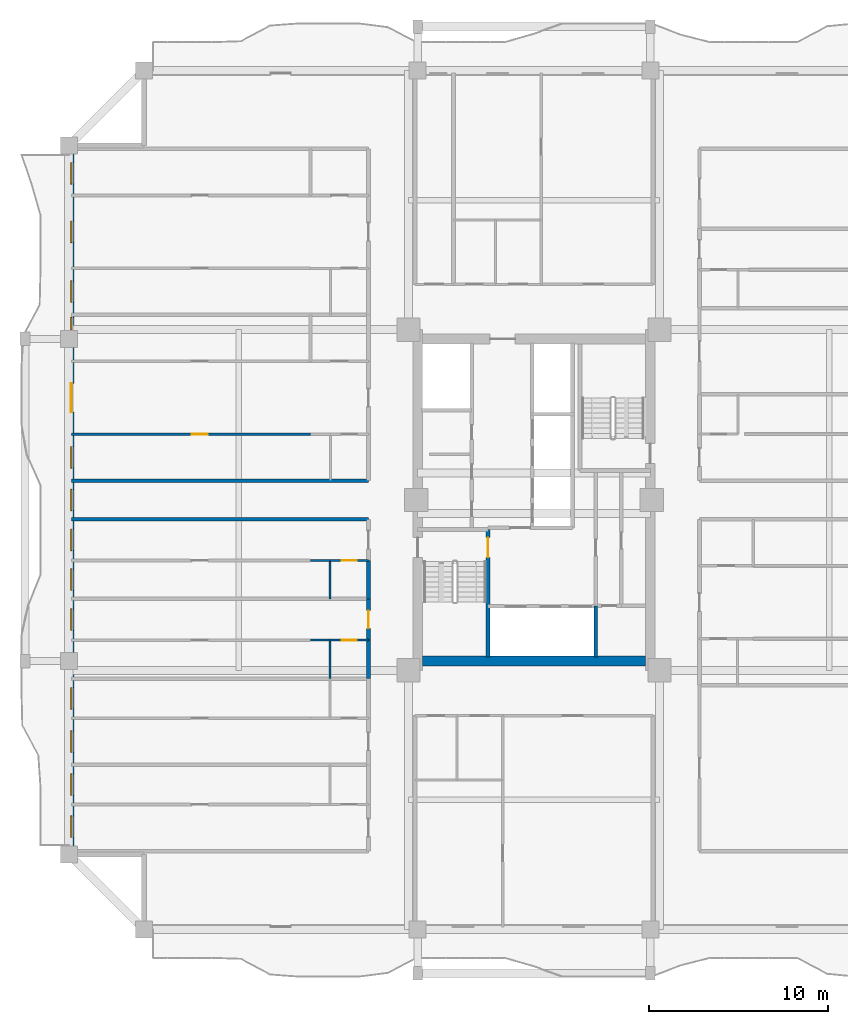
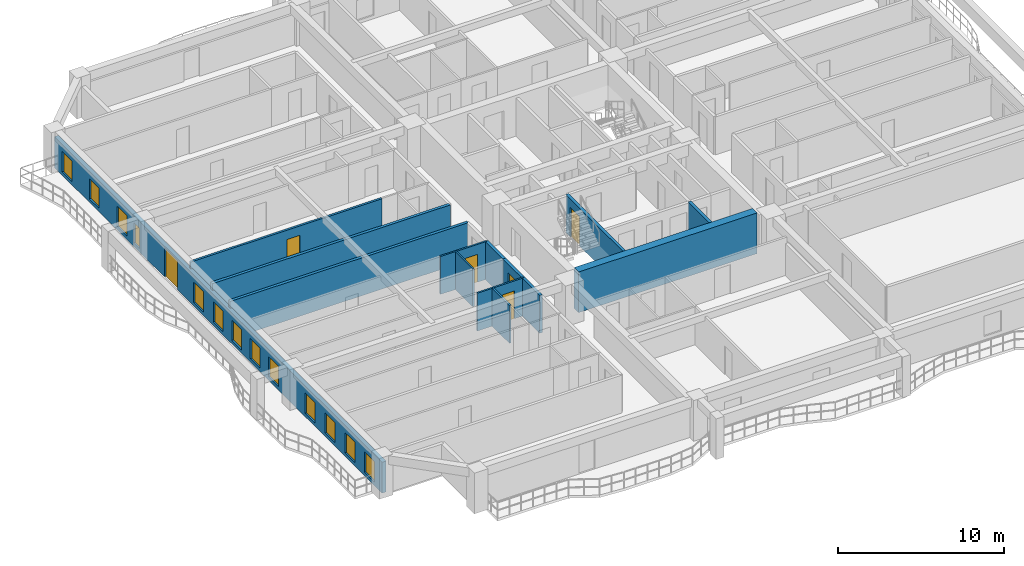
# One storey, part 3 of 13: 16 walls, 13 windows, 6 doors, 19 openings.
"""IFC4 building model written with IfcOpenShell, lengths in metres."""

from ifc_helpers import new_model, si_unit, direction, frame, frame_2d, origin, place, context, subcontext, project, spatial, rectangle, extrude, source, transform, mapped, material, layer, layer_set, type_object, element, fill, save


model = new_model("IFC4")

# Units and contexts
model_context = context("Model", 3, precision=1e-05, world=origin(), true_north=direction((0.0, 1.0)))
body_context = subcontext(model_context, "Body", "Model", "MODEL_VIEW")
ifc_project = project(units=[si_unit("LENGTHUNIT", "METRE"), si_unit("AREAUNIT", "SQUARE_METRE"), si_unit("VOLUMEUNIT", "CUBIC_METRE"), si_unit("PLANEANGLEUNIT", "RADIAN"), si_unit("MASSUNIT", "GRAM", prefix="KILO")], contexts=[model_context])

# Site, building, storey
site_placement = place(None, origin())
site = spatial("IfcSite", under=ifc_project, at=site_placement, CompositionType="ELEMENT")
building_placement = place(site_placement, origin())
building = spatial("IfcBuilding", under=site, at=building_placement, Name="Saelheon Loggia Tower", CompositionType="ELEMENT")
storey_placement = place(building_placement, frame((0.0, 0.0, 129.75)))
storey = spatial("IfcBuildingStorey", under=building, at=storey_placement, Name="L41", CompositionType="ELEMENT", Elevation=129.75)

# Wall
ifc_material_1 = material(Name="Concrete C50/60", Category="concrete")
ifc_layer_1 = layer(ifc_material_1, 0.550048828125)
ifc_layer_set_1 = layer_set([ifc_layer_1], Name="Concrete C50/60")
wall_type_1 = type_object("IfcWallType", Name="Wall_CoreShear_550", PredefinedType="SHEAR", material=ifc_layer_set_1)
wall_1_placement = place(storey_placement, frame((31.77490234375, 18.0, 0.0), z_axis=(0.0, 0.0, 1.0), x_axis=(1.0, 0.0, 0.0)))
element("IfcWall", 1, at=wall_1_placement, inside=storey, type_object=wall_type_1, Name="L41 Core Shear Wall South", PredefinedType="SHEAR", context=body_context, shape_type="SweptSolid", body=[
    extrude(rectangle(XDim=12.4501953125, YDim=0.550048828125, at=frame_2d((6.22509765625, 0.0))), origin(), (0.0, 0.0, 1.0), 3.0),
])

# Wall, openings, windows, door
ifc_material_2 = material(Name="Architectural Precast Concrete C40/50", Category="concrete")
ifc_layer_2 = layer(ifc_material_2, 0.280029296875)
ifc_layer_set_2 = layer_set([ifc_layer_2], Name="Architectural Precast Concrete C40/50")
wall_type_2 = type_object("IfcWallType", Name="Wall_Ext_Loggia_280", PredefinedType="SOLIDWALL", material=ifc_layer_set_2)
wall_2_placement = place(storey_placement, frame((12.139892578125, 7.199951171875, 0.0), z_axis=(0.0, 0.0, 1.0), x_axis=(0.0, 1.0, 0.0)))
wall_2 = element("IfcWall", 2, at=wall_2_placement, inside=storey, type_object=wall_type_2, Name="L41 West Loggia Inner Wall", PredefinedType="SOLIDWALL", context=body_context, shape_type="SweptSolid", body=[
    extrude(rectangle(XDim=39.60009765625, YDim=0.280029296875, at=frame_2d((19.800048828125, 0.0))), origin(), (0.0, 0.0, 1.0), 2.280029296875),
])
opening_1_placement = place(wall_2_placement, frame((0.948974609375, 0.0, 0.25)))
opening_1 = element("IfcOpeningElement", 3, at=opening_1_placement, cuts=wall_2, Name="Opening WN-03", PredefinedType="OPENING", context=body_context, shape_type="SweptSolid", body=[
    extrude(rectangle(XDim=1.199951171875, YDim=1.5, at=frame_2d((0.60009765625, 0.75))), frame((0.0, 0.152099609375, 0.0), z_axis=(0.0, -1.0, 0.0), x_axis=(1.0, 0.0, 0.0)), (0.0, 0.0, 1.0), 0.303955078125),
])
opening_2_placement = place(wall_2_placement, frame((3.291748046875, 0.0, 0.25)))
opening_2 = element("IfcOpeningElement", 4, at=opening_2_placement, cuts=wall_2, Name="Opening WN-03", PredefinedType="OPENING", context=body_context, shape_type="SweptSolid", body=[
    extrude(rectangle(XDim=1.199951171875, YDim=1.5, at=frame_2d((0.60009765625, 0.75))), frame((0.0, 0.152099609375, 0.0), z_axis=(0.0, -1.0, 0.0), x_axis=(1.0, 0.0, 0.0)), (0.0, 0.0, 1.0), 0.303955078125),
])
opening_3_placement = place(wall_2_placement, frame((5.701904296875, 0.0, 0.25)))
opening_3 = element("IfcOpeningElement", 5, at=opening_3_placement, cuts=wall_2, Name="Opening WN-03", PredefinedType="OPENING", context=body_context, shape_type="SweptSolid", body=[
    extrude(rectangle(XDim=1.199951171875, YDim=1.5, at=frame_2d((0.60009765625, 0.75))), frame((0.0, 0.152099609375, 0.0), z_axis=(0.0, -1.0, 0.0), x_axis=(1.0, 0.0, 0.0)), (0.0, 0.0, 1.0), 0.303955078125),
])
opening_4_placement = place(wall_2_placement, frame((8.112060546875, 0.0, 0.25)))
opening_4 = element("IfcOpeningElement", 6, at=opening_4_placement, cuts=wall_2, Name="Opening WN-03", PredefinedType="OPENING", context=body_context, shape_type="SweptSolid", body=[
    extrude(rectangle(XDim=1.199951171875, YDim=1.5, at=frame_2d((0.60009765625, 0.75))), frame((0.0, 0.152099609375, 0.0), z_axis=(0.0, -1.0, 0.0), x_axis=(1.0, 0.0, 0.0)), (0.0, 0.0, 1.0), 0.303955078125),
])
opening_5_placement = place(wall_2_placement, frame((12.5205078125, 0.0, 0.25)))
opening_5 = element("IfcOpeningElement", 7, at=opening_5_placement, cuts=wall_2, Name="Opening WN-03", PredefinedType="OPENING", context=body_context, shape_type="SweptSolid", body=[
    extrude(rectangle(XDim=1.199951171875, YDim=1.5, at=frame_2d((0.60009765625, 0.75))), frame((0.0, 0.152099609375, 0.0), z_axis=(0.0, -1.0, 0.0), x_axis=(1.0, 0.0, 0.0)), (0.0, 0.0, 1.0), 0.303955078125),
])
opening_6_placement = place(wall_2_placement, frame((14.745361328125, 0.0, 0.25)))
opening_6 = element("IfcOpeningElement", 8, at=opening_6_placement, cuts=wall_2, Name="Opening WN-03", PredefinedType="OPENING", context=body_context, shape_type="SweptSolid", body=[
    extrude(rectangle(XDim=1.199951171875, YDim=1.5, at=frame_2d((0.60009765625, 0.75))), frame((0.0, 0.152099609375, 0.0), z_axis=(0.0, -1.0, 0.0), x_axis=(1.0, 0.0, 0.0)), (0.0, 0.0, 1.0), 0.303955078125),
])
opening_7_placement = place(wall_2_placement, frame((16.97021484375, 0.0, 0.25)))
opening_7 = element("IfcOpeningElement", 9, at=opening_7_placement, cuts=wall_2, Name="Opening WN-03", PredefinedType="OPENING", context=body_context, shape_type="SweptSolid", body=[
    extrude(rectangle(XDim=1.199951171875, YDim=1.5, at=frame_2d((0.60009765625, 0.75))), frame((0.0, 0.152099609375, 0.0), z_axis=(0.0, -1.0, 0.0), x_axis=(1.0, 0.0, 0.0)), (0.0, 0.0, 1.0), 0.303955078125),
])
opening_8_placement = place(wall_2_placement, frame((19.199951171875, 0.0, 0.25)))
opening_8 = element("IfcOpeningElement", 10, at=opening_8_placement, cuts=wall_2, Name="Opening WN-03", PredefinedType="OPENING", context=body_context, shape_type="SweptSolid", body=[
    extrude(rectangle(XDim=1.199951171875, YDim=1.5, at=frame_2d((0.60009765625, 0.75))), frame((0.0, 0.152099609375, 0.0), z_axis=(0.0, -1.0, 0.0), x_axis=(1.0, 0.0, 0.0)), (0.0, 0.0, 1.0), 0.303955078125),
])
opening_9_placement = place(wall_2_placement, frame((21.577880859375, 0.0, 0.25)))
opening_9 = element("IfcOpeningElement", 11, at=opening_9_placement, cuts=wall_2, Name="Opening WN-03", PredefinedType="OPENING", context=body_context, shape_type="SweptSolid", body=[
    extrude(rectangle(XDim=1.199951171875, YDim=1.5, at=frame_2d((0.60009765625, 0.75))), frame((0.0, 0.152099609375, 0.0), z_axis=(0.0, -1.0, 0.0), x_axis=(1.0, 0.0, 0.0)), (0.0, 0.0, 1.0), 0.303955078125),
])
opening_10_placement = place(wall_2_placement, frame((24.712890625, 0.0, 0.0)))
opening_10 = element("IfcOpeningElement", 12, at=opening_10_placement, cuts=wall_2, Name="Opening DLG-1", PredefinedType="OPENING", context=body_context, shape_type="SweptSolid", body=[
    extrude(rectangle(XDim=1.60009765625, YDim=2.14990234375, at=frame_2d((0.800048828125, 1.074951171875))), frame((0.0, 0.152099609375, 0.0), z_axis=(0.0, -1.0, 0.0), x_axis=(1.0, 0.0, 0.0)), (0.0, 0.0, 1.0), 0.303955078125),
])
opening_11_placement = place(wall_2_placement, frame((29.304931640625, 0.0, 0.25)))
opening_11 = element("IfcOpeningElement", 13, at=opening_11_placement, cuts=wall_2, Name="Opening WN-06", PredefinedType="OPENING", context=body_context, shape_type="SweptSolid", body=[
    extrude(rectangle(XDim=0.699951171875, YDim=1.5, at=frame_2d((0.35009765625, 0.75))), frame((0.0, 0.152099609375, 0.0), z_axis=(0.0, -1.0, 0.0), x_axis=(1.0, 0.0, 0.0)), (0.0, 0.0, 1.0), 0.303955078125),
])
opening_12_placement = place(wall_2_placement, frame((30.847900390625, 0.0, 0.25)))
opening_12 = element("IfcOpeningElement", 14, at=opening_12_placement, cuts=wall_2, Name="Opening WN-03", PredefinedType="OPENING", context=body_context, shape_type="SweptSolid", body=[
    extrude(rectangle(XDim=1.199951171875, YDim=1.5, at=frame_2d((0.60009765625, 0.75))), frame((0.0, 0.152099609375, 0.0), z_axis=(0.0, -1.0, 0.0), x_axis=(1.0, 0.0, 0.0)), (0.0, 0.0, 1.0), 0.303955078125),
])
opening_13_placement = place(wall_2_placement, frame((34.182861328125, 0.0, 0.25)))
opening_13 = element("IfcOpeningElement", 15, at=opening_13_placement, cuts=wall_2, Name="Opening WN-03", PredefinedType="OPENING", context=body_context, shape_type="SweptSolid", body=[
    extrude(rectangle(XDim=1.199951171875, YDim=1.5, at=frame_2d((0.60009765625, 0.75))), frame((0.0, 0.152099609375, 0.0), z_axis=(0.0, -1.0, 0.0), x_axis=(1.0, 0.0, 0.0)), (0.0, 0.0, 1.0), 0.303955078125),
])
opening_14_placement = place(wall_2_placement, frame((37.452392578125, 0.0, 0.25)))
opening_14 = element("IfcOpeningElement", 16, at=opening_14_placement, cuts=wall_2, Name="Opening WN-03", PredefinedType="OPENING", context=body_context, shape_type="SweptSolid", body=[
    extrude(rectangle(XDim=1.199951171875, YDim=1.5, at=frame_2d((0.60009765625, 0.75))), frame((0.0, 0.152099609375, 0.0), z_axis=(0.0, -1.0, 0.0), x_axis=(1.0, 0.0, 0.0)), (0.0, 0.0, 1.0), 0.303955078125),
])
ifc_material_3 = material(Name="Thermal-Break Aluminium and Triple Low-E Glass", Category="aluminium")
window_type_1 = type_object("IfcWindowType", Name="Win_Slot_700x1500", PartitioningType="SINGLE_PANEL", PredefinedType="WINDOW", material=ifc_material_3)
shared_shape_1 = source(origin(), body_context, "Body", "SweptSolid", [
    extrude(rectangle(XDim=0.699951171875, YDim=1.5, at=frame_2d((0.35009765625, 0.75))), frame((0.0, 0.030029296875, 0.0), z_axis=(0.0, -1.0, 0.0), x_axis=(1.0, 0.0, 0.0)), (0.0, 0.0, 1.0), 0.06005859375),
])
window_1_placement = place(opening_11_placement, origin())
window_1 = element("IfcWindow", 17, at=window_1_placement, inside=storey, type_object=window_type_1, Name="L41 W Dwelling Window 11", OverallHeight=1.5, OverallWidth=0.699951171875, PartitioningType="SINGLE_PANEL", PredefinedType="WINDOW", context=body_context, shape_type="MappedRepresentation", body=[
    mapped(shared_shape_1, transform((0.0, 0.0, 0.0), scale=1.0)),
])
fill(opening_11, window_1)
window_type_2 = type_object("IfcWindowType", Name="Win_Bedroom_1200x1500", PartitioningType="SINGLE_PANEL", PredefinedType="WINDOW", material=ifc_material_3)
shared_shape_2 = source(origin(), body_context, "Body", "SweptSolid", [
    extrude(rectangle(XDim=1.199951171875, YDim=1.5, at=frame_2d((0.60009765625, 0.75))), frame((0.0, 0.030029296875, 0.0), z_axis=(0.0, -1.0, 0.0), x_axis=(1.0, 0.0, 0.0)), (0.0, 0.0, 1.0), 0.06005859375),
])
window_2_placement = place(opening_1_placement, origin())
window_2 = element("IfcWindow", 18, at=window_2_placement, inside=storey, type_object=window_type_2, Name="L41 W Dwelling Window 1", OverallHeight=1.5, OverallWidth=1.199951171875, PartitioningType="SINGLE_PANEL", PredefinedType="WINDOW", context=body_context, shape_type="MappedRepresentation", body=[
    mapped(shared_shape_2, transform((0.0, 0.0, 0.0), scale=1.0)),
])
fill(opening_1, window_2)
window_3_placement = place(opening_2_placement, origin())
window_3 = element("IfcWindow", 19, at=window_3_placement, inside=storey, type_object=window_type_2, Name="L41 W Dwelling Window 2", OverallHeight=1.5, OverallWidth=1.199951171875, PartitioningType="SINGLE_PANEL", PredefinedType="WINDOW", context=body_context, shape_type="MappedRepresentation", body=[
    mapped(shared_shape_2, transform((0.0, 0.0, 0.0), scale=1.0)),
])
fill(opening_2, window_3)
window_4_placement = place(opening_3_placement, origin())
window_4 = element("IfcWindow", 20, at=window_4_placement, inside=storey, type_object=window_type_2, Name="L41 W Dwelling Window 3", OverallHeight=1.5, OverallWidth=1.199951171875, PartitioningType="SINGLE_PANEL", PredefinedType="WINDOW", context=body_context, shape_type="MappedRepresentation", body=[
    mapped(shared_shape_2, transform((0.0, 0.0, 0.0), scale=1.0)),
])
fill(opening_3, window_4)
window_5_placement = place(opening_4_placement, origin())
window_5 = element("IfcWindow", 21, at=window_5_placement, inside=storey, type_object=window_type_2, Name="L41 W Dwelling Window 4", OverallHeight=1.5, OverallWidth=1.199951171875, PartitioningType="SINGLE_PANEL", PredefinedType="WINDOW", context=body_context, shape_type="MappedRepresentation", body=[
    mapped(shared_shape_2, transform((0.0, 0.0, 0.0), scale=1.0)),
])
fill(opening_4, window_5)
window_6_placement = place(opening_5_placement, origin())
window_6 = element("IfcWindow", 22, at=window_6_placement, inside=storey, type_object=window_type_2, Name="L41 W Dwelling Window 5", OverallHeight=1.5, OverallWidth=1.199951171875, PartitioningType="SINGLE_PANEL", PredefinedType="WINDOW", context=body_context, shape_type="MappedRepresentation", body=[
    mapped(shared_shape_2, transform((0.0, 0.0, 0.0), scale=1.0)),
])
fill(opening_5, window_6)
window_7_placement = place(opening_6_placement, origin())
window_7 = element("IfcWindow", 23, at=window_7_placement, inside=storey, type_object=window_type_2, Name="L41 W Dwelling Window 6", OverallHeight=1.5, OverallWidth=1.199951171875, PartitioningType="SINGLE_PANEL", PredefinedType="WINDOW", context=body_context, shape_type="MappedRepresentation", body=[
    mapped(shared_shape_2, transform((0.0, 0.0, 0.0), scale=1.0)),
])
fill(opening_6, window_7)
window_8_placement = place(opening_7_placement, origin())
window_8 = element("IfcWindow", 24, at=window_8_placement, inside=storey, type_object=window_type_2, Name="L41 W Dwelling Window 7", OverallHeight=1.5, OverallWidth=1.199951171875, PartitioningType="SINGLE_PANEL", PredefinedType="WINDOW", context=body_context, shape_type="MappedRepresentation", body=[
    mapped(shared_shape_2, transform((0.0, 0.0, 0.0), scale=1.0)),
])
fill(opening_7, window_8)
window_9_placement = place(opening_8_placement, origin())
window_9 = element("IfcWindow", 25, at=window_9_placement, inside=storey, type_object=window_type_2, Name="L41 W Dwelling Window 8", OverallHeight=1.5, OverallWidth=1.199951171875, PartitioningType="SINGLE_PANEL", PredefinedType="WINDOW", context=body_context, shape_type="MappedRepresentation", body=[
    mapped(shared_shape_2, transform((0.0, 0.0, 0.0), scale=1.0)),
])
fill(opening_8, window_9)
window_10_placement = place(opening_9_placement, origin())
window_10 = element("IfcWindow", 26, at=window_10_placement, inside=storey, type_object=window_type_2, Name="L41 W Dwelling Window 9", OverallHeight=1.5, OverallWidth=1.199951171875, PartitioningType="SINGLE_PANEL", PredefinedType="WINDOW", context=body_context, shape_type="MappedRepresentation", body=[
    mapped(shared_shape_2, transform((0.0, 0.0, 0.0), scale=1.0)),
])
fill(opening_9, window_10)
window_11_placement = place(opening_12_placement, origin())
window_11 = element("IfcWindow", 27, at=window_11_placement, inside=storey, type_object=window_type_2, Name="L41 W Dwelling Window 12", OverallHeight=1.5, OverallWidth=1.199951171875, PartitioningType="SINGLE_PANEL", PredefinedType="WINDOW", context=body_context, shape_type="MappedRepresentation", body=[
    mapped(shared_shape_2, transform((0.0, 0.0, 0.0), scale=1.0)),
])
fill(opening_12, window_11)
window_12_placement = place(opening_13_placement, origin())
window_12 = element("IfcWindow", 28, at=window_12_placement, inside=storey, type_object=window_type_2, Name="L41 W Dwelling Window 13", OverallHeight=1.5, OverallWidth=1.199951171875, PartitioningType="SINGLE_PANEL", PredefinedType="WINDOW", context=body_context, shape_type="MappedRepresentation", body=[
    mapped(shared_shape_2, transform((0.0, 0.0, 0.0), scale=1.0)),
])
fill(opening_13, window_12)
window_13_placement = place(opening_14_placement, origin())
window_13 = element("IfcWindow", 29, at=window_13_placement, inside=storey, type_object=window_type_2, Name="L41 W Dwelling Window 14", OverallHeight=1.5, OverallWidth=1.199951171875, PartitioningType="SINGLE_PANEL", PredefinedType="WINDOW", context=body_context, shape_type="MappedRepresentation", body=[
    mapped(shared_shape_2, transform((0.0, 0.0, 0.0), scale=1.0)),
])
fill(opening_14, window_13)
ifc_material_4 = material(Name="Thermal-Break Aluminium Sliding Glazed Door", Category="aluminium")
door_type_1 = type_object("IfcDoorType", Name="Door_LoggiaSlide_1600", OperationType="SLIDING_TO_LEFT", PredefinedType="DOOR", material=ifc_material_4)
shared_shape_3 = source(origin(), body_context, "Body", "SweptSolid", [
    extrude(rectangle(XDim=1.60009765625, YDim=2.14990234375, at=frame_2d((0.800048828125, 1.074951171875))), frame((0.0, 0.02490234375, 0.0), z_axis=(0.0, -1.0, 0.0), x_axis=(1.0, 0.0, 0.0)), (0.0, 0.0, 1.0), 0.050048828125),
])
door_1_placement = place(opening_10_placement, origin())
door_1 = element("IfcDoor", 30, at=door_1_placement, inside=storey, type_object=door_type_1, Name="L41 W Loggia Access Door", OperationType="SLIDING_TO_LEFT", OverallHeight=2.14990234375, OverallWidth=1.60009765625, PredefinedType="DOOR", context=body_context, shape_type="MappedRepresentation", body=[
    mapped(shared_shape_3, transform((0.0, 0.0, 0.0), scale=1.0)),
])
fill(opening_10, door_1)

# Wall, opening, door
ifc_material_5 = material(Name="Lightweight Autoclaved Aerated Concrete Block and Acoustic Gypsum", Category="concrete")
ifc_layer_3 = layer(ifc_material_5, 0.14990234375)
ifc_layer_set_3 = layer_set([ifc_layer_3], Name="Lightweight Autoclaved Aerated Concrete Block and Acoustic Gypsum")
wall_type_3 = type_object("IfcWallType", Name="Wall_Part_150", PredefinedType="PARTITIONING", material=ifc_layer_set_3)
wall_3_placement = place(storey_placement, frame((25.510009765625, 30.675537109375, 0.0), z_axis=(0.0, 0.0, 1.0), x_axis=(-1.0, 0.0, 0.0)))
wall_3 = element("IfcWall", 31, at=wall_3_placement, inside=storey, type_object=wall_type_3, Name="L41 WN Partition U10", PredefinedType="PARTITIONING", context=body_context, shape_type="SweptSolid", body=[
    extrude(rectangle(XDim=13.360107421875, YDim=0.14990234375, at=frame_2d((6.68017578125, 0.0))), origin(), (0.0, 0.0, 1.0), 2.7900390625),
])
opening_15_placement = place(wall_3_placement, frame((5.730712890625, 0.0, 0.0)))
opening_15 = element("IfcOpeningElement", 32, at=opening_15_placement, cuts=wall_3, Name="Opening D-IN2", PredefinedType="OPENING", context=body_context, shape_type="SweptSolid", body=[
    extrude(rectangle(XDim=0.89990234375, YDim=2.10009765625, at=frame_2d((0.449951171875, 1.050048828125))), frame((0.0, 0.0869140625, 0.0), z_axis=(0.0, -1.0, 0.0), x_axis=(1.0, 0.0, 0.0)), (0.0, 0.0, 1.0), 0.173828125),
])
ifc_material_6 = material(Name="Engineered Oak Flush Door", Category="timber")
door_type_2 = type_object("IfcDoorType", Name="Door_Int_900", OperationType="NOTDEFINED", PredefinedType="DOOR", material=ifc_material_6)
shared_shape_4 = source(origin(), body_context, "Body", "SweptSolid", [
    extrude(rectangle(XDim=0.89990234375, YDim=2.10009765625, at=frame_2d((0.449951171875, 1.050048828125))), frame((0.0, 0.02490234375, 0.0), z_axis=(0.0, -1.0, 0.0), x_axis=(1.0, 0.0, 0.0)), (0.0, 0.0, 1.0), 0.050048828125),
])
door_2_placement = place(opening_15_placement, origin())
door_2 = element("IfcDoor", 33, at=door_2_placement, inside=storey, type_object=door_type_2, Name="Unit U05 Kitchen Door", OperationType="SINGLE_SWING_RIGHT", OverallHeight=2.10009765625, OverallWidth=0.89990234375, PredefinedType="DOOR", context=body_context, shape_type="MappedRepresentation", body=[
    mapped(shared_shape_4, transform((0.0, 0.0, 0.0), scale=1.0)),
])
fill(opening_15, door_2)

# Walls
ifc_material_7 = material(Name="Double Acoustic Stud and Fireboard Partition", Category="gypsum")
ifc_layer_4 = layer(ifc_material_7, 0.199951171875)
ifc_layer_set_4 = layer_set([ifc_layer_4], Name="Double Acoustic Stud and Fireboard Partition")
wall_type_4 = type_object("IfcWallType", Name="Wall_Party_200", PredefinedType="PARTITIONING", material=ifc_layer_set_4)
wall_4_placement = place(storey_placement, frame((28.75, 25.919921875, 0.0), z_axis=(0.0, 0.0, 1.0), x_axis=(-1.0, 0.0, 0.0)))
element("IfcWall", 34, at=wall_4_placement, inside=storey, type_object=wall_type_4, Name="L41 WS Partition U02", PredefinedType="PARTITIONING", context=body_context, shape_type="SweptSolid", body=[
    extrude(rectangle(XDim=16.60009765625, YDim=0.199951171875, at=frame_2d((8.300048828125, 0.0))), origin(), (0.0, 0.0, 1.0), 2.7900390625),
])
wall_5_placement = place(storey_placement, frame((28.75, 17.020751953125, 0.0), z_axis=(0.0, 0.0, 1.0), x_axis=(0.0, 1.0, 0.0)))
element("IfcWall", 35, at=wall_5_placement, inside=storey, type_object=wall_type_4, Name="L41 WS Partition V17", PredefinedType="PARTITIONING", context=body_context, shape_type="SweptSolid", body=[
    extrude(rectangle(XDim=2.150146484375, YDim=0.199951171875, at=frame_2d((1.0751953125, 0.0))), origin(), (0.0, 0.0, 1.0), 2.7900390625),
])

# Wall, opening, door
wall_6_placement = place(storey_placement, frame((28.75, 19.1708984375, 0.0), z_axis=(0.0, 0.0, 1.0), x_axis=(0.0, 1.0, 0.0)))
wall_6 = element("IfcWall", 36, at=wall_6_placement, inside=storey, type_object=wall_type_4, Name="L41 WS Partition V18", PredefinedType="PARTITIONING", context=body_context, shape_type="SweptSolid", body=[
    extrude(rectangle(XDim=2.299560546875, YDim=0.199951171875, at=frame_2d((1.14990234375, 0.0))), origin(), (0.0, 0.0, 1.0), 2.7900390625),
])
opening_16_placement = place(wall_6_placement, frame((0.64990234375, 0.0, 0.0)))
opening_16 = element("IfcOpeningElement", 37, at=opening_16_placement, cuts=wall_6, Name="Opening D-FD1", PredefinedType="OPENING", context=body_context, shape_type="SweptSolid", body=[
    extrude(rectangle(XDim=1.0, YDim=2.14990234375, at=frame_2d((0.5, 1.074951171875))), frame((0.0, 0.112060546875, 0.0), z_axis=(0.0, -1.0, 0.0), x_axis=(1.0, 0.0, 0.0)), (0.0, 0.0, 1.0), 0.223876953125),
])
ifc_material_8 = material(Name="Fire-Rated Engineered Timber Entrance Door", Category="wood")
door_type_3 = type_object("IfcDoorType", Name="Door_Flat_FD30S", OperationType="NOTDEFINED", PredefinedType="DOOR", material=ifc_material_8)
shared_shape_5 = source(origin(), body_context, "Body", "SweptSolid", [
    extrude(rectangle(XDim=1.0, YDim=2.14990234375, at=frame_2d((0.5, 1.074951171875))), frame((0.0, 0.02490234375, 0.0), z_axis=(0.0, -1.0, 0.0), x_axis=(1.0, 0.0, 0.0)), (0.0, 0.0, 1.0), 0.050048828125),
])
door_3_placement = place(opening_16_placement, origin())
door_3 = element("IfcDoor", 38, at=door_3_placement, inside=storey, type_object=door_type_3, Name="Unit U03 Entrance Door", OperationType="SINGLE_SWING_RIGHT", OverallHeight=2.14990234375, OverallWidth=1.0, PredefinedType="DOOR", context=body_context, shape_type="MappedRepresentation", body=[
    mapped(shared_shape_5, transform((0.0, 0.0, 0.0), scale=1.0)),
])
fill(opening_16, door_3)

# Walls
wall_7_placement = place(storey_placement, frame((28.75, 21.470458984375, 0.0), z_axis=(0.0, 0.0, 1.0), x_axis=(0.0, 1.0, 0.0)))
element("IfcWall", 39, at=wall_7_placement, inside=storey, type_object=wall_type_4, Name="L41 WS Partition V24", PredefinedType="PARTITIONING", context=body_context, shape_type="SweptSolid", body=[
    extrude(rectangle(XDim=2.14990234375, YDim=0.199951171875, at=frame_2d((1.074951171875, 0.0))), origin(), (0.0, 0.0, 1.0), 2.7900390625),
])
wall_8_placement = place(storey_placement, frame((28.75, 28.080078125, 0.0), z_axis=(0.0, 0.0, 1.0), x_axis=(-1.0, 0.0, 0.0)))
element("IfcWall", 40, at=wall_8_placement, inside=storey, type_object=wall_type_4, Name="L41 WN Partition U01", PredefinedType="PARTITIONING", context=body_context, shape_type="SweptSolid", body=[
    extrude(rectangle(XDim=16.60009765625, YDim=0.199951171875, at=frame_2d((8.300048828125, 0.0))), origin(), (0.0, 0.0, 1.0), 2.7900390625),
])
ifc_material_9 = material(Name="Concrete C40/50", Category="concrete")
ifc_layer_5 = layer(ifc_material_9, 0.199951171875)
ifc_layer_set_5 = layer_set([ifc_layer_5], Name="Concrete C40/50")
wall_type_5 = type_object("IfcWallType", Name="Wall_Shaft_200", PredefinedType="PARTITIONING", material=ifc_layer_set_5)
wall_9_placement = place(storey_placement, frame((41.449951171875, 18.219970703125, 0.0), z_axis=(0.0, 0.0, 1.0), x_axis=(0.0, 1.0, 0.0)))
element("IfcWall", 41, at=wall_9_placement, inside=storey, type_object=wall_type_5, Name="CW-INT-L41-BOH-W0", PredefinedType="PARTITIONING", context=body_context, shape_type="SweptSolid", body=[
    extrude(rectangle(XDim=2.860107421875, YDim=0.199951171875, at=frame_2d((1.43017578125, 0.0))), origin(), (0.0, 0.0, 1.0), 2.7900390625),
])

# Wall, opening, door
ifc_material_10 = material(Name="Concrete C45/55", Category="concrete")
ifc_layer_6 = layer(ifc_material_10, 0.199951171875)
ifc_layer_set_6 = layer_set([ifc_layer_6], Name="Concrete C45/55")
wall_type_6 = type_object("IfcWallType", Name="Wall_StairShaft_RC200", PredefinedType="SOLIDWALL", material=ifc_layer_set_6)
wall_10_placement = place(storey_placement, frame((35.429931640625, 18.219970703125, 0.0), z_axis=(0.0, 0.0, 1.0), x_axis=(0.0, 1.0, 0.0)))
wall_10 = element("IfcWall", 42, at=wall_10_placement, inside=storey, type_object=wall_type_6, Name="L41 Stair ST1 Shaft Wall", PredefinedType="SOLIDWALL", context=body_context, shape_type="SweptSolid", body=[
    extrude(rectangle(XDim=7.219970703125, YDim=0.199951171875, at=frame_2d((3.60986328125, 0.0))), origin(), (0.0, 0.0, 1.0), 2.7900390625),
])
opening_17_placement = place(wall_10_placement, frame((6.68017578125, 0.0, 0.0), z_axis=(0.0, 0.0, 1.0), x_axis=(-1.0, 0.0, 0.0)))
opening_17 = element("IfcOpeningElement", 43, at=opening_17_placement, cuts=wall_10, Name="Opening D-FD2", PredefinedType="OPENING", context=body_context, shape_type="SweptSolid", body=[
    extrude(rectangle(XDim=1.10009765625, YDim=2.14990234375, at=frame_2d((0.550048828125, 1.074951171875))), frame((0.0, 0.112060546875, 0.0), z_axis=(0.0, -1.0, 0.0), x_axis=(1.0, 0.0, 0.0)), (0.0, 0.0, 1.0), 0.223876953125),
])
ifc_material_11 = material(Name="Galvanised Steel Fire Door", Category="steel")
door_type_4 = type_object("IfcDoorType", Name="Door_Fire_FD60_1100", OperationType="NOTDEFINED", PredefinedType="DOOR", material=ifc_material_11)
shared_shape_6 = source(origin(), body_context, "Body", "SweptSolid", [
    extrude(rectangle(XDim=1.10009765625, YDim=2.14990234375, at=frame_2d((0.550048828125, 1.074951171875))), frame((0.0, 0.02490234375, 0.0), z_axis=(0.0, -1.0, 0.0), x_axis=(1.0, 0.0, 0.0)), (0.0, 0.0, 1.0), 0.050048828125),
])
door_4_placement = place(opening_17_placement, origin())
door_4 = element("IfcDoor", 44, at=door_4_placement, inside=storey, type_object=door_type_4, Name="L41 Stair ST1 Lobby Door", OperationType="SINGLE_SWING_LEFT", OverallHeight=2.14990234375, OverallWidth=1.10009765625, PredefinedType="DOOR", context=body_context, shape_type="MappedRepresentation", body=[
    mapped(shared_shape_6, transform((0.0, 0.0, 0.0), scale=1.0)),
])
fill(opening_17, door_4)

ifc_material_12 = material(Name="Moisture-Resistant Cement Board Partition", Category="gypsum")
ifc_layer_7 = layer(ifc_material_12, 0.1201171875)
ifc_layer_set_7 = layer_set([ifc_layer_7], Name="Moisture-Resistant Cement Board Partition")
wall_type_7 = type_object("IfcWallType", Name="Wall_WetPart_120", PredefinedType="PARTITIONING", material=ifc_layer_set_7)
wall_11_placement = place(storey_placement, frame((28.75, 19.1708984375, 0.0), z_axis=(0.0, 0.0, 1.0), x_axis=(-1.0, 0.0, 0.0)))
wall_11 = element("IfcWall", 45, at=wall_11_placement, inside=storey, type_object=wall_type_7, Name="L41 WS Partition U19", PredefinedType="PARTITIONING", context=body_context, shape_type="SweptSolid", body=[
    extrude(rectangle(XDim=2.14990234375, YDim=0.1201171875, at=frame_2d((1.074951171875, 0.0))), origin(), (0.0, 0.0, 1.0), 2.7900390625),
])
opening_18_placement = place(wall_11_placement, frame((0.64990234375, 0.0, 0.0)))
opening_18 = element("IfcOpeningElement", 46, at=opening_18_placement, cuts=wall_11, Name="Opening D-BT1", PredefinedType="OPENING", context=body_context, shape_type="SweptSolid", body=[
    extrude(rectangle(XDim=0.85009765625, YDim=2.050048828125, at=frame_2d((0.425048828125, 1.02490234375))), frame((0.0, 0.072021484375, 0.0), z_axis=(0.0, -1.0, 0.0), x_axis=(1.0, 0.0, 0.0)), (0.0, 0.0, 1.0), 0.14404296875),
])
ifc_material_13 = material(Name="Moisture-Resistant Laminate Timber Door", Category="wood")
door_type_5 = type_object("IfcDoorType", Name="Door_Bath_850", OperationType="NOTDEFINED", PredefinedType="DOOR", material=ifc_material_13)
shared_shape_7 = source(origin(), body_context, "Body", "SweptSolid", [
    extrude(rectangle(XDim=0.85009765625, YDim=2.050048828125, at=frame_2d((0.425048828125, 1.02490234375))), frame((0.0, 0.02490234375, 0.0), z_axis=(0.0, -1.0, 0.0), x_axis=(1.0, 0.0, 0.0)), (0.0, 0.0, 1.0), 0.050048828125),
])
door_5_placement = place(opening_18_placement, origin())
door_5 = element("IfcDoor", 47, at=door_5_placement, inside=storey, type_object=door_type_5, Name="Unit U03 Bathroom Door", OperationType="SINGLE_SWING_LEFT", OverallHeight=2.050048828125, OverallWidth=0.85009765625, PredefinedType="DOOR", context=body_context, shape_type="MappedRepresentation", body=[
    mapped(shared_shape_7, transform((0.0, 0.0, 0.0), scale=1.0)),
])
fill(opening_18, door_5)

# Walls
wall_12_placement = place(storey_placement, frame((26.60009765625, 19.1708984375, 0.0), z_axis=(0.0, 0.0, 1.0), x_axis=(-1.0, 0.0, 0.0)))
element("IfcWall", 48, at=wall_12_placement, inside=storey, type_object=wall_type_7, Name="L41 WS Partition U20", PredefinedType="PARTITIONING", context=body_context, shape_type="SweptSolid", body=[
    extrude(rectangle(XDim=1.090087890625, YDim=0.1201171875, at=frame_2d((0.544921875, 0.0))), origin(), (0.0, 0.0, 1.0), 2.7900390625),
])
wall_13_placement = place(storey_placement, frame((26.60009765625, 17.020751953125, 0.0), z_axis=(0.0, 0.0, 1.0), x_axis=(0.0, 1.0, 0.0)))
element("IfcWall", 49, at=wall_13_placement, inside=storey, type_object=wall_type_7, Name="L41 WS Partition V21", PredefinedType="PARTITIONING", context=body_context, shape_type="SweptSolid", body=[
    extrude(rectangle(XDim=2.150146484375, YDim=0.1201171875, at=frame_2d((1.0751953125, 0.0))), origin(), (0.0, 0.0, 1.0), 2.7900390625),
])

# Wall, opening, door
wall_14_placement = place(storey_placement, frame((28.75, 23.620361328125, 0.0), z_axis=(0.0, 0.0, 1.0), x_axis=(-1.0, 0.0, 0.0)))
wall_14 = element("IfcWall", 50, at=wall_14_placement, inside=storey, type_object=wall_type_7, Name="L41 WS Partition U26", PredefinedType="PARTITIONING", context=body_context, shape_type="SweptSolid", body=[
    extrude(rectangle(XDim=2.14990234375, YDim=0.1201171875, at=frame_2d((1.074951171875, 0.0))), origin(), (0.0, 0.0, 1.0), 2.7900390625),
])
opening_19_placement = place(wall_14_placement, frame((0.64990234375, 0.0, 0.0)))
opening_19 = element("IfcOpeningElement", 51, at=opening_19_placement, cuts=wall_14, Name="Opening D-BT1", PredefinedType="OPENING", context=body_context, shape_type="SweptSolid", body=[
    extrude(rectangle(XDim=0.85009765625, YDim=2.050048828125, at=frame_2d((0.425048828125, 1.02490234375))), frame((0.0, 0.072021484375, 0.0), z_axis=(0.0, -1.0, 0.0), x_axis=(1.0, 0.0, 0.0)), (0.0, 0.0, 1.0), 0.14404296875),
])
door_6_placement = place(opening_19_placement, origin())
door_6 = element("IfcDoor", 52, at=door_6_placement, inside=storey, type_object=door_type_5, Name="Unit U04 Bathroom Door", OperationType="SINGLE_SWING_RIGHT", OverallHeight=2.050048828125, OverallWidth=0.85009765625, PredefinedType="DOOR", context=body_context, shape_type="MappedRepresentation", body=[
    mapped(shared_shape_7, transform((0.0, 0.0, 0.0), scale=1.0)),
])
fill(opening_19, door_6)

# Walls
wall_15_placement = place(storey_placement, frame((26.60009765625, 23.620361328125, 0.0), z_axis=(0.0, 0.0, 1.0), x_axis=(-1.0, 0.0, 0.0)))
element("IfcWall", 53, at=wall_15_placement, inside=storey, type_object=wall_type_7, Name="L41 WS Partition U27", PredefinedType="PARTITIONING", context=body_context, shape_type="SweptSolid", body=[
    extrude(rectangle(XDim=1.090087890625, YDim=0.1201171875, at=frame_2d((0.544921875, 0.0))), origin(), (0.0, 0.0, 1.0), 2.7900390625),
])
wall_16_placement = place(storey_placement, frame((26.60009765625, 21.470458984375, 0.0), z_axis=(0.0, 0.0, 1.0), x_axis=(0.0, 1.0, 0.0)))
element("IfcWall", 54, at=wall_16_placement, inside=storey, type_object=wall_type_7, Name="L41 WS Partition V28", PredefinedType="PARTITIONING", context=body_context, shape_type="SweptSolid", body=[
    extrude(rectangle(XDim=2.14990234375, YDim=0.1201171875, at=frame_2d((1.074951171875, 0.0))), origin(), (0.0, 0.0, 1.0), 2.7900390625),
])

save(model, "model.ifc")
